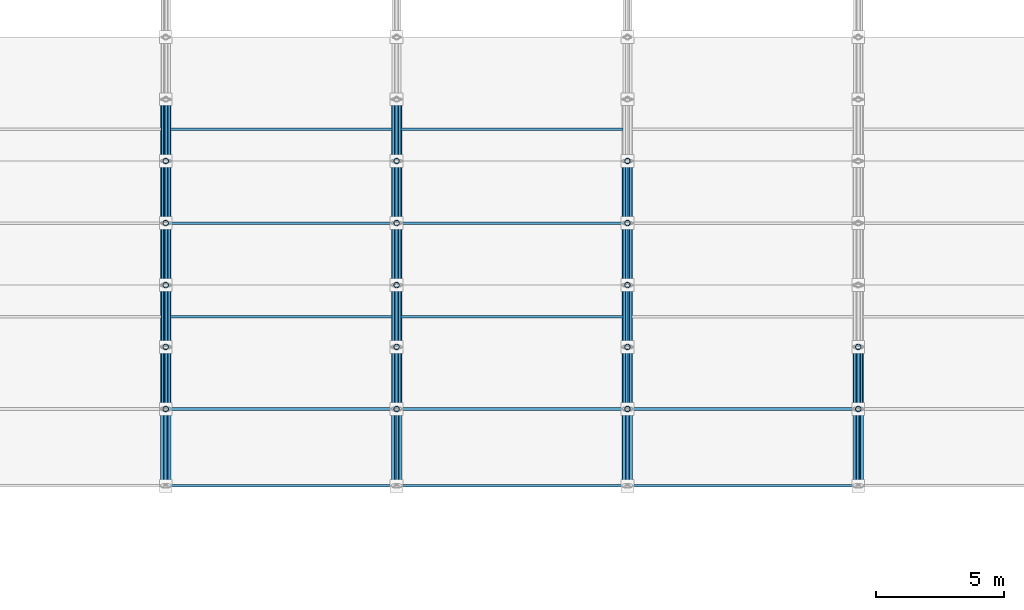
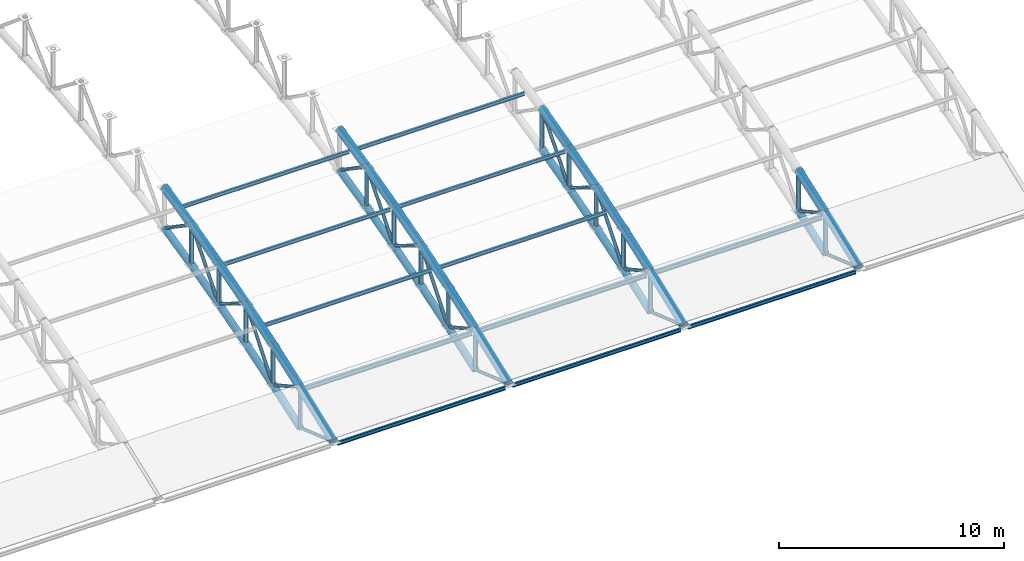
# One storey, part 18 of 195: 82 members.
"""IFC4 building model written with IfcOpenShell, lengths in metres."""

from ifc_helpers import new_model, si_unit, direction, frame, origin, origin_2d, place, context, subcontext, project, spatial, hollow_circle, i_section, extrude, material, material_profile, profile_set, type_object, element, save


model = new_model("IFC4")

# Units and contexts
model_context = context("Model", 3, precision=1e-05, world=origin(), true_north=direction((0.0, 1.0)))
body_context = subcontext(model_context, "Body", "Model", "MODEL_VIEW")
ifc_project = project(units=[si_unit("LENGTHUNIT", "METRE"), si_unit("AREAUNIT", "SQUARE_METRE"), si_unit("VOLUMEUNIT", "CUBIC_METRE"), si_unit("PLANEANGLEUNIT", "RADIAN"), si_unit("MASSUNIT", "GRAM", prefix="KILO")], contexts=[model_context])

# Site, building, storey
site_placement = place(None, origin())
site = spatial("IfcSite", under=ifc_project, at=site_placement, CompositionType="ELEMENT")
building_placement = place(site_placement, origin())
building = spatial("IfcBuilding", under=site, at=building_placement, Name="Marlcrest Central Station", CompositionType="ELEMENT")
storey_placement = place(building_placement, frame((0.0, 0.0, 9.800048828125)))
storey = spatial("IfcBuildingStorey", under=building, at=storey_placement, Name="L02", CompositionType="ELEMENT", Elevation=9.800048828125)

# Members
ifc_material = material(Name="Steel S355", Category="steel")
ifc_material_profile_1 = material_profile(ifc_material, hollow_circle(Radius=0.203125, WallThickness=0.02001953125, at=origin_2d()), Name="CHS 406.4x20")
ifc_profile_set_1 = profile_set([ifc_material_profile_1], Name="Steel S355")
member_type_1 = type_object("IfcMemberType", Name="AC-01", PredefinedType="CHORD", material=ifc_profile_set_1)
member_1_placement = place(storey_placement, frame((36.0, 33.5, 0.44580078125), z_axis=(0.0, 0.933324071143, 0.359035065453), x_axis=(-1.0, 0.0, 0.0)))
element("IfcMember", 1, at=member_1_placement, inside=storey, type_object=member_type_1, Name="mem-AC-01-L02-00525", PredefinedType="CHORD", context=body_context, shape_type="SweptSolid", body=[
    extrude(hollow_circle(Radius=0.203125, WallThickness=0.02001953125, at=origin_2d()), origin(), (0.0, 0.0, 1.0), 3.21435546875),
])
member_2_placement = place(storey_placement, frame((36.0, 36.5, 1.599853515625), z_axis=(0.0, 0.94353735649, 0.331266142109), x_axis=(-1.0, 0.0, 0.0)))
element("IfcMember", 2, at=member_2_placement, inside=storey, type_object=member_type_1, Name="mem-AC-01-L02-00527", PredefinedType="CHORD", context=body_context, shape_type="SweptSolid", body=[
    extrude(hollow_circle(Radius=0.203125, WallThickness=0.02001953125, at=origin_2d()), origin(), (0.0, 0.0, 1.0), 2.564697265625),
])
member_3_placement = place(storey_placement, frame((36.0, 38.919921875, 2.449462890625), z_axis=(0.0, 0.952116828449, 0.305734435391), x_axis=(-1.0, 0.0, 0.0)))
element("IfcMember", 3, at=member_3_placement, inside=storey, type_object=member_type_1, Name="mem-AC-01-L02-00531", PredefinedType="CHORD", context=body_context, shape_type="SweptSolid", body=[
    extrude(hollow_circle(Radius=0.203125, WallThickness=0.02001953125, at=origin_2d()), origin(), (0.0, 0.0, 1.0), 2.53125),
])
member_4_placement = place(storey_placement, frame((36.0, 41.330078125, 3.223388671875), z_axis=(0.0, 0.960130083362, 0.27955361386), x_axis=(-1.0, 0.0, 0.0)))
element("IfcMember", 4, at=member_4_placement, inside=storey, type_object=member_type_1, Name="mem-AC-01-L02-00535", PredefinedType="CHORD", context=body_context, shape_type="SweptSolid", body=[
    extrude(hollow_circle(Radius=0.203125, WallThickness=0.02001953125, at=origin_2d()), origin(), (0.0, 0.0, 1.0), 2.5205078125),
])
member_5_placement = place(storey_placement, frame((36.0, 43.75, 3.927978515625), z_axis=(0.0, 0.967539481681, 0.252719906989), x_axis=(-1.0, 0.0, 0.0)))
element("IfcMember", 5, at=member_5_placement, inside=storey, type_object=member_type_1, Name="mem-AC-01-L02-00539", PredefinedType="CHORD", context=body_context, shape_type="SweptSolid", body=[
    extrude(hollow_circle(Radius=0.203125, WallThickness=0.02001953125, at=origin_2d()), origin(), (0.0, 0.0, 1.0), 2.501220703125),
])
member_6_placement = place(storey_placement, frame((36.0, 46.169921875, 4.56005859375), z_axis=(0.0, 0.974329612642, 0.225126200004), x_axis=(-1.0, 0.0, 0.0)))
element("IfcMember", 6, at=member_6_placement, inside=storey, type_object=member_type_1, Name="mem-AC-01-L02-00543", PredefinedType="CHORD", context=body_context, shape_type="SweptSolid", body=[
    extrude(hollow_circle(Radius=0.203125, WallThickness=0.02001953125, at=origin_2d()), origin(), (0.0, 0.0, 1.0), 2.4736328125),
])
member_7_placement = place(storey_placement, frame((45.0, 33.5, 0.44580078125), z_axis=(0.0, 0.933324071143, 0.359035065453), x_axis=(-1.0, 0.0, 0.0)))
element("IfcMember", 7, at=member_7_placement, inside=storey, type_object=member_type_1, Name="mem-AC-01-L02-00641", PredefinedType="CHORD", context=body_context, shape_type="SweptSolid", body=[
    extrude(hollow_circle(Radius=0.203125, WallThickness=0.02001953125, at=origin_2d()), origin(), (0.0, 0.0, 1.0), 3.21435546875),
])
member_8_placement = place(storey_placement, frame((45.0, 36.5, 1.599853515625), z_axis=(0.0, 0.94353735649, 0.331266142109), x_axis=(-1.0, 0.0, 0.0)))
element("IfcMember", 8, at=member_8_placement, inside=storey, type_object=member_type_1, Name="mem-AC-01-L02-00643", PredefinedType="CHORD", context=body_context, shape_type="SweptSolid", body=[
    extrude(hollow_circle(Radius=0.203125, WallThickness=0.02001953125, at=origin_2d()), origin(), (0.0, 0.0, 1.0), 2.564697265625),
])
member_9_placement = place(storey_placement, frame((45.0, 38.919921875, 2.449462890625), z_axis=(0.0, 0.952116828449, 0.305734435391), x_axis=(-1.0, 0.0, 0.0)))
element("IfcMember", 9, at=member_9_placement, inside=storey, type_object=member_type_1, Name="mem-AC-01-L02-00647", PredefinedType="CHORD", context=body_context, shape_type="SweptSolid", body=[
    extrude(hollow_circle(Radius=0.203125, WallThickness=0.02001953125, at=origin_2d()), origin(), (0.0, 0.0, 1.0), 2.53125),
])
member_10_placement = place(storey_placement, frame((45.0, 41.330078125, 3.223388671875), z_axis=(0.0, 0.960130083362, 0.27955361386), x_axis=(-1.0, 0.0, 0.0)))
element("IfcMember", 10, at=member_10_placement, inside=storey, type_object=member_type_1, Name="mem-AC-01-L02-00651", PredefinedType="CHORD", context=body_context, shape_type="SweptSolid", body=[
    extrude(hollow_circle(Radius=0.203125, WallThickness=0.02001953125, at=origin_2d()), origin(), (0.0, 0.0, 1.0), 2.5205078125),
])
member_11_placement = place(storey_placement, frame((45.0, 43.75, 3.927978515625), z_axis=(0.0, 0.967539481681, 0.252719906989), x_axis=(-1.0, 0.0, 0.0)))
element("IfcMember", 11, at=member_11_placement, inside=storey, type_object=member_type_1, Name="mem-AC-01-L02-00655", PredefinedType="CHORD", context=body_context, shape_type="SweptSolid", body=[
    extrude(hollow_circle(Radius=0.203125, WallThickness=0.02001953125, at=origin_2d()), origin(), (0.0, 0.0, 1.0), 2.501220703125),
])
member_12_placement = place(storey_placement, frame((45.0, 46.169921875, 4.56005859375), z_axis=(0.0, 0.974329612642, 0.225126200004), x_axis=(-1.0, 0.0, 0.0)))
element("IfcMember", 12, at=member_12_placement, inside=storey, type_object=member_type_1, Name="mem-AC-01-L02-00659", PredefinedType="CHORD", context=body_context, shape_type="SweptSolid", body=[
    extrude(hollow_circle(Radius=0.203125, WallThickness=0.02001953125, at=origin_2d()), origin(), (0.0, 0.0, 1.0), 2.4736328125),
])
member_13_placement = place(storey_placement, frame((54.0, 33.5, 0.44580078125), z_axis=(0.0, 0.933324071143, 0.359035065453), x_axis=(-1.0, 0.0, 0.0)))
element("IfcMember", 13, at=member_13_placement, inside=storey, type_object=member_type_1, Name="mem-AC-01-L02-00757", PredefinedType="CHORD", context=body_context, shape_type="SweptSolid", body=[
    extrude(hollow_circle(Radius=0.203125, WallThickness=0.02001953125, at=origin_2d()), origin(), (0.0, 0.0, 1.0), 3.21435546875),
])
member_14_placement = place(storey_placement, frame((54.0, 36.5, 1.599853515625), z_axis=(0.0, 0.94353735649, 0.331266142109), x_axis=(-1.0, 0.0, 0.0)))
element("IfcMember", 14, at=member_14_placement, inside=storey, type_object=member_type_1, Name="mem-AC-01-L02-00759", PredefinedType="CHORD", context=body_context, shape_type="SweptSolid", body=[
    extrude(hollow_circle(Radius=0.203125, WallThickness=0.02001953125, at=origin_2d()), origin(), (0.0, 0.0, 1.0), 2.564697265625),
])
member_15_placement = place(storey_placement, frame((54.0, 38.919921875, 2.449462890625), z_axis=(0.0, 0.952116828449, 0.305734435391), x_axis=(-1.0, 0.0, 0.0)))
element("IfcMember", 15, at=member_15_placement, inside=storey, type_object=member_type_1, Name="mem-AC-01-L02-00763", PredefinedType="CHORD", context=body_context, shape_type="SweptSolid", body=[
    extrude(hollow_circle(Radius=0.203125, WallThickness=0.02001953125, at=origin_2d()), origin(), (0.0, 0.0, 1.0), 2.53125),
])
member_16_placement = place(storey_placement, frame((54.0, 41.330078125, 3.223388671875), z_axis=(0.0, 0.960130083362, 0.27955361386), x_axis=(-1.0, 0.0, 0.0)))
element("IfcMember", 16, at=member_16_placement, inside=storey, type_object=member_type_1, Name="mem-AC-01-L02-00767", PredefinedType="CHORD", context=body_context, shape_type="SweptSolid", body=[
    extrude(hollow_circle(Radius=0.203125, WallThickness=0.02001953125, at=origin_2d()), origin(), (0.0, 0.0, 1.0), 2.5205078125),
])
member_17_placement = place(storey_placement, frame((54.0, 43.75, 3.927978515625), z_axis=(0.0, 0.967539481681, 0.252719906989), x_axis=(-1.0, 0.0, 0.0)))
element("IfcMember", 17, at=member_17_placement, inside=storey, type_object=member_type_1, Name="mem-AC-01-L02-00771", PredefinedType="CHORD", context=body_context, shape_type="SweptSolid", body=[
    extrude(hollow_circle(Radius=0.203125, WallThickness=0.02001953125, at=origin_2d()), origin(), (0.0, 0.0, 1.0), 2.501220703125),
])
member_18_placement = place(storey_placement, frame((63.0, 33.5, 0.44580078125), z_axis=(0.0, 0.933324071143, 0.359035065453), x_axis=(-1.0, 0.0, 0.0)))
element("IfcMember", 18, at=member_18_placement, inside=storey, type_object=member_type_1, Name="mem-AC-01-L02-00873", PredefinedType="CHORD", context=body_context, shape_type="SweptSolid", body=[
    extrude(hollow_circle(Radius=0.203125, WallThickness=0.02001953125, at=origin_2d()), origin(), (0.0, 0.0, 1.0), 3.21435546875),
])
member_19_placement = place(storey_placement, frame((63.0, 36.5, 1.599853515625), z_axis=(0.0, 0.94353735649, 0.331266142109), x_axis=(-1.0, 0.0, 0.0)))
element("IfcMember", 19, at=member_19_placement, inside=storey, type_object=member_type_1, Name="mem-AC-01-L02-00875", PredefinedType="CHORD", context=body_context, shape_type="SweptSolid", body=[
    extrude(hollow_circle(Radius=0.203125, WallThickness=0.02001953125, at=origin_2d()), origin(), (0.0, 0.0, 1.0), 2.564697265625),
])
ifc_material_profile_2 = material_profile(ifc_material, hollow_circle(Radius=0.177734375, WallThickness=0.01611328125, at=origin_2d()), Name="CHS 355.6x16")
ifc_profile_set_2 = profile_set([ifc_material_profile_2], Name="Steel S355")
member_type_2 = type_object("IfcMemberType", Name="AC-02", PredefinedType="CHORD", material=ifc_profile_set_2)
member_20_placement = place(storey_placement, frame((36.0, 36.5, -0.60009765625), z_axis=(0.0, 0.94353735649, 0.331266142109), x_axis=(-1.0, 0.0, 0.0)))
element("IfcMember", 20, at=member_20_placement, inside=storey, type_object=member_type_2, Name="mem-AC-02-L02-00528", PredefinedType="CHORD", context=body_context, shape_type="SweptSolid", body=[
    extrude(hollow_circle(Radius=0.177734375, WallThickness=0.01611328125, at=origin_2d()), origin(), (0.0, 0.0, 1.0), 2.564697265625),
])
member_21_placement = place(storey_placement, frame((36.0, 38.919921875, 0.24951171875), z_axis=(0.0, 0.952116828449, 0.305734435391), x_axis=(-1.0, 0.0, 0.0)))
element("IfcMember", 21, at=member_21_placement, inside=storey, type_object=member_type_2, Name="mem-AC-02-L02-00532", PredefinedType="CHORD", context=body_context, shape_type="SweptSolid", body=[
    extrude(hollow_circle(Radius=0.177734375, WallThickness=0.01611328125, at=origin_2d()), origin(), (0.0, 0.0, 1.0), 2.53125),
])
member_22_placement = place(storey_placement, frame((36.0, 41.330078125, 1.0234375), z_axis=(0.0, 0.960130083362, 0.27955361386), x_axis=(-1.0, 0.0, 0.0)))
element("IfcMember", 22, at=member_22_placement, inside=storey, type_object=member_type_2, Name="mem-AC-02-L02-00536", PredefinedType="CHORD", context=body_context, shape_type="SweptSolid", body=[
    extrude(hollow_circle(Radius=0.177734375, WallThickness=0.01611328125, at=origin_2d()), origin(), (0.0, 0.0, 1.0), 2.5205078125),
])
member_23_placement = place(storey_placement, frame((36.0, 43.75, 1.72802734375), z_axis=(0.0, 0.967563345928, 0.252628524946), x_axis=(-1.0, 0.0, 0.0)))
element("IfcMember", 23, at=member_23_placement, inside=storey, type_object=member_type_2, Name="mem-AC-02-L02-00540", PredefinedType="CHORD", context=body_context, shape_type="SweptSolid", body=[
    extrude(hollow_circle(Radius=0.177734375, WallThickness=0.01611328125, at=origin_2d()), origin(), (0.0, 0.0, 1.0), 2.5009765625),
])
member_24_placement = place(storey_placement, frame((36.0, 46.169921875, 2.35986328125), z_axis=(0.0, 0.974307959875, 0.225219891049), x_axis=(-1.0, 0.0, 0.0)))
element("IfcMember", 24, at=member_24_placement, inside=storey, type_object=member_type_2, Name="mem-AC-02-L02-00544", PredefinedType="CHORD", context=body_context, shape_type="SweptSolid", body=[
    extrude(hollow_circle(Radius=0.177734375, WallThickness=0.01611328125, at=origin_2d()), origin(), (0.0, 0.0, 1.0), 2.4736328125),
])
member_25_placement = place(storey_placement, frame((45.0, 36.5, -0.60009765625), z_axis=(0.0, 0.94353735649, 0.331266142109), x_axis=(-1.0, 0.0, 0.0)))
element("IfcMember", 25, at=member_25_placement, inside=storey, type_object=member_type_2, Name="mem-AC-02-L02-00644", PredefinedType="CHORD", context=body_context, shape_type="SweptSolid", body=[
    extrude(hollow_circle(Radius=0.177734375, WallThickness=0.01611328125, at=origin_2d()), origin(), (0.0, 0.0, 1.0), 2.564697265625),
])
member_26_placement = place(storey_placement, frame((45.0, 38.919921875, 0.24951171875), z_axis=(0.0, 0.952116828449, 0.305734435391), x_axis=(-1.0, 0.0, 0.0)))
element("IfcMember", 26, at=member_26_placement, inside=storey, type_object=member_type_2, Name="mem-AC-02-L02-00648", PredefinedType="CHORD", context=body_context, shape_type="SweptSolid", body=[
    extrude(hollow_circle(Radius=0.177734375, WallThickness=0.01611328125, at=origin_2d()), origin(), (0.0, 0.0, 1.0), 2.53125),
])
member_27_placement = place(storey_placement, frame((45.0, 41.330078125, 1.0234375), z_axis=(0.0, 0.960130083362, 0.27955361386), x_axis=(-1.0, 0.0, 0.0)))
element("IfcMember", 27, at=member_27_placement, inside=storey, type_object=member_type_2, Name="mem-AC-02-L02-00652", PredefinedType="CHORD", context=body_context, shape_type="SweptSolid", body=[
    extrude(hollow_circle(Radius=0.177734375, WallThickness=0.01611328125, at=origin_2d()), origin(), (0.0, 0.0, 1.0), 2.5205078125),
])
member_28_placement = place(storey_placement, frame((45.0, 43.75, 1.72802734375), z_axis=(0.0, 0.967563345928, 0.252628524946), x_axis=(-1.0, 0.0, 0.0)))
element("IfcMember", 28, at=member_28_placement, inside=storey, type_object=member_type_2, Name="mem-AC-02-L02-00656", PredefinedType="CHORD", context=body_context, shape_type="SweptSolid", body=[
    extrude(hollow_circle(Radius=0.177734375, WallThickness=0.01611328125, at=origin_2d()), origin(), (0.0, 0.0, 1.0), 2.5009765625),
])
member_29_placement = place(storey_placement, frame((45.0, 46.169921875, 2.35986328125), z_axis=(0.0, 0.974307959875, 0.225219891049), x_axis=(-1.0, 0.0, 0.0)))
element("IfcMember", 29, at=member_29_placement, inside=storey, type_object=member_type_2, Name="mem-AC-02-L02-00660", PredefinedType="CHORD", context=body_context, shape_type="SweptSolid", body=[
    extrude(hollow_circle(Radius=0.177734375, WallThickness=0.01611328125, at=origin_2d()), origin(), (0.0, 0.0, 1.0), 2.4736328125),
])
member_30_placement = place(storey_placement, frame((54.0, 36.5, -0.60009765625), z_axis=(0.0, 0.94353735649, 0.331266142109), x_axis=(-1.0, 0.0, 0.0)))
element("IfcMember", 30, at=member_30_placement, inside=storey, type_object=member_type_2, Name="mem-AC-02-L02-00760", PredefinedType="CHORD", context=body_context, shape_type="SweptSolid", body=[
    extrude(hollow_circle(Radius=0.177734375, WallThickness=0.01611328125, at=origin_2d()), origin(), (0.0, 0.0, 1.0), 2.564697265625),
])
member_31_placement = place(storey_placement, frame((54.0, 38.919921875, 0.24951171875), z_axis=(0.0, 0.952116828449, 0.305734435391), x_axis=(-1.0, 0.0, 0.0)))
element("IfcMember", 31, at=member_31_placement, inside=storey, type_object=member_type_2, Name="mem-AC-02-L02-00764", PredefinedType="CHORD", context=body_context, shape_type="SweptSolid", body=[
    extrude(hollow_circle(Radius=0.177734375, WallThickness=0.01611328125, at=origin_2d()), origin(), (0.0, 0.0, 1.0), 2.53125),
])
member_32_placement = place(storey_placement, frame((54.0, 41.330078125, 1.0234375), z_axis=(0.0, 0.960130083362, 0.27955361386), x_axis=(-1.0, 0.0, 0.0)))
element("IfcMember", 32, at=member_32_placement, inside=storey, type_object=member_type_2, Name="mem-AC-02-L02-00768", PredefinedType="CHORD", context=body_context, shape_type="SweptSolid", body=[
    extrude(hollow_circle(Radius=0.177734375, WallThickness=0.01611328125, at=origin_2d()), origin(), (0.0, 0.0, 1.0), 2.5205078125),
])
member_33_placement = place(storey_placement, frame((54.0, 43.75, 1.72802734375), z_axis=(0.0, 0.967563345928, 0.252628524946), x_axis=(-1.0, 0.0, 0.0)))
element("IfcMember", 33, at=member_33_placement, inside=storey, type_object=member_type_2, Name="mem-AC-02-L02-00772", PredefinedType="CHORD", context=body_context, shape_type="SweptSolid", body=[
    extrude(hollow_circle(Radius=0.177734375, WallThickness=0.01611328125, at=origin_2d()), origin(), (0.0, 0.0, 1.0), 2.5009765625),
])
member_34_placement = place(storey_placement, frame((63.0, 36.5, -0.60009765625), z_axis=(0.0, 0.94353735649, 0.331266142109), x_axis=(-1.0, 0.0, 0.0)))
element("IfcMember", 34, at=member_34_placement, inside=storey, type_object=member_type_2, Name="mem-AC-02-L02-00876", PredefinedType="CHORD", context=body_context, shape_type="SweptSolid", body=[
    extrude(hollow_circle(Radius=0.177734375, WallThickness=0.01611328125, at=origin_2d()), origin(), (0.0, 0.0, 1.0), 2.564697265625),
])
ifc_material_profile_3 = material_profile(ifc_material, hollow_circle(Radius=0.084228515625, WallThickness=0.010009765625, at=origin_2d()), Name="CHS 168.3x10")
ifc_profile_set_3 = profile_set([ifc_material_profile_3], Name="Steel S355")
member_type_3 = type_object("IfcMemberType", Name="AD-01", PredefinedType="BRACE", material=ifc_profile_set_3)
member_35_placement = place(storey_placement, frame((36.0, 36.5, -0.60009765625), z_axis=(0.0, -0.944260188635, 0.329200085296), x_axis=(1.0, 0.0, 0.0)))
element("IfcMember", 35, at=member_35_placement, inside=storey, type_object=member_type_3, Name="mem-AD-01-L02-00526", PredefinedType="BRACE", context=body_context, shape_type="SweptSolid", body=[
    extrude(hollow_circle(Radius=0.084228515625, WallThickness=0.010009765625, at=origin_2d()), origin(), (0.0, 0.0, 1.0), 3.177001953125),
])
member_36_placement = place(storey_placement, frame((36.0, 36.5, 1.599853515625), z_axis=(0.0, 0.873245653167, -0.487280236851), x_axis=(-1.0, 0.0, 0.0)))
element("IfcMember", 36, at=member_36_placement, inside=storey, type_object=member_type_3, Name="mem-AD-01-L02-00530", PredefinedType="BRACE", context=body_context, shape_type="SweptSolid", body=[
    extrude(hollow_circle(Radius=0.084228515625, WallThickness=0.010009765625, at=origin_2d()), origin(), (0.0, 0.0, 1.0), 2.771240234375),
])
member_37_placement = place(storey_placement, frame((36.0, 38.919921875, 0.24951171875), z_axis=(0.0, 0.62962929743, 0.776895712318), x_axis=(-1.0, 0.0, 0.0)))
element("IfcMember", 37, at=member_37_placement, inside=storey, type_object=member_type_3, Name="mem-AD-01-L02-00534", PredefinedType="BRACE", context=body_context, shape_type="SweptSolid", body=[
    extrude(hollow_circle(Radius=0.084228515625, WallThickness=0.010009765625, at=origin_2d()), origin(), (0.0, 0.0, 1.0), 3.827880859375),
])
member_38_placement = place(storey_placement, frame((36.0, 41.330078125, 3.223388671875), z_axis=(0.0, 0.850687380038, -0.525671933286), x_axis=(-1.0, 0.0, 0.0)))
element("IfcMember", 38, at=member_38_placement, inside=storey, type_object=member_type_3, Name="mem-AD-01-L02-00538", PredefinedType="BRACE", context=body_context, shape_type="SweptSolid", body=[
    extrude(hollow_circle(Radius=0.084228515625, WallThickness=0.010009765625, at=origin_2d()), origin(), (0.0, 0.0, 1.0), 2.8447265625),
])
member_39_placement = place(storey_placement, frame((36.0, 43.75, 1.72802734375), z_axis=(0.0, 0.649624779144, 0.760254987699), x_axis=(-1.0, 0.0, 0.0)))
element("IfcMember", 39, at=member_39_placement, inside=storey, type_object=member_type_3, Name="mem-AD-01-L02-00542", PredefinedType="BRACE", context=body_context, shape_type="SweptSolid", body=[
    extrude(hollow_circle(Radius=0.084228515625, WallThickness=0.010009765625, at=origin_2d()), origin(), (0.0, 0.0, 1.0), 3.72509765625),
])
member_40_placement = place(storey_placement, frame((36.0, 46.169921875, 4.56005859375), z_axis=(0.0, 0.82626275624, -0.563284881432), x_axis=(-1.0, 0.0, 0.0)))
element("IfcMember", 40, at=member_40_placement, inside=storey, type_object=member_type_3, Name="mem-AD-01-L02-00546", PredefinedType="BRACE", context=body_context, shape_type="SweptSolid", body=[
    extrude(hollow_circle(Radius=0.084228515625, WallThickness=0.010009765625, at=origin_2d()), origin(), (0.0, 0.0, 1.0), 2.9169921875),
])
member_41_placement = place(storey_placement, frame((45.0, 36.5, -0.60009765625), z_axis=(0.0, -0.944260188635, 0.329200085296), x_axis=(1.0, 0.0, 0.0)))
element("IfcMember", 41, at=member_41_placement, inside=storey, type_object=member_type_3, Name="mem-AD-01-L02-00642", PredefinedType="BRACE", context=body_context, shape_type="SweptSolid", body=[
    extrude(hollow_circle(Radius=0.084228515625, WallThickness=0.010009765625, at=origin_2d()), origin(), (0.0, 0.0, 1.0), 3.177001953125),
])
member_42_placement = place(storey_placement, frame((45.0, 36.5, 1.599853515625), z_axis=(0.0, 0.873245653167, -0.487280236851), x_axis=(-1.0, 0.0, 0.0)))
element("IfcMember", 42, at=member_42_placement, inside=storey, type_object=member_type_3, Name="mem-AD-01-L02-00646", PredefinedType="BRACE", context=body_context, shape_type="SweptSolid", body=[
    extrude(hollow_circle(Radius=0.084228515625, WallThickness=0.010009765625, at=origin_2d()), origin(), (0.0, 0.0, 1.0), 2.771240234375),
])
member_43_placement = place(storey_placement, frame((45.0, 38.919921875, 0.24951171875), z_axis=(0.0, 0.62962929743, 0.776895712318), x_axis=(-1.0, 0.0, 0.0)))
element("IfcMember", 43, at=member_43_placement, inside=storey, type_object=member_type_3, Name="mem-AD-01-L02-00650", PredefinedType="BRACE", context=body_context, shape_type="SweptSolid", body=[
    extrude(hollow_circle(Radius=0.084228515625, WallThickness=0.010009765625, at=origin_2d()), origin(), (0.0, 0.0, 1.0), 3.827880859375),
])
member_44_placement = place(storey_placement, frame((45.0, 41.330078125, 3.223388671875), z_axis=(0.0, 0.850687380038, -0.525671933286), x_axis=(-1.0, 0.0, 0.0)))
element("IfcMember", 44, at=member_44_placement, inside=storey, type_object=member_type_3, Name="mem-AD-01-L02-00654", PredefinedType="BRACE", context=body_context, shape_type="SweptSolid", body=[
    extrude(hollow_circle(Radius=0.084228515625, WallThickness=0.010009765625, at=origin_2d()), origin(), (0.0, 0.0, 1.0), 2.8447265625),
])
member_45_placement = place(storey_placement, frame((45.0, 43.75, 1.72802734375), z_axis=(0.0, 0.649624779144, 0.760254987699), x_axis=(-1.0, 0.0, 0.0)))
element("IfcMember", 45, at=member_45_placement, inside=storey, type_object=member_type_3, Name="mem-AD-01-L02-00658", PredefinedType="BRACE", context=body_context, shape_type="SweptSolid", body=[
    extrude(hollow_circle(Radius=0.084228515625, WallThickness=0.010009765625, at=origin_2d()), origin(), (0.0, 0.0, 1.0), 3.72509765625),
])
member_46_placement = place(storey_placement, frame((45.0, 46.169921875, 4.56005859375), z_axis=(0.0, 0.82626275624, -0.563284881432), x_axis=(-1.0, 0.0, 0.0)))
element("IfcMember", 46, at=member_46_placement, inside=storey, type_object=member_type_3, Name="mem-AD-01-L02-00662", PredefinedType="BRACE", context=body_context, shape_type="SweptSolid", body=[
    extrude(hollow_circle(Radius=0.084228515625, WallThickness=0.010009765625, at=origin_2d()), origin(), (0.0, 0.0, 1.0), 2.9169921875),
])
member_47_placement = place(storey_placement, frame((54.0, 36.5, -0.60009765625), z_axis=(0.0, -0.944260188635, 0.329200085296), x_axis=(1.0, 0.0, 0.0)))
element("IfcMember", 47, at=member_47_placement, inside=storey, type_object=member_type_3, Name="mem-AD-01-L02-00758", PredefinedType="BRACE", context=body_context, shape_type="SweptSolid", body=[
    extrude(hollow_circle(Radius=0.084228515625, WallThickness=0.010009765625, at=origin_2d()), origin(), (0.0, 0.0, 1.0), 3.177001953125),
])
member_48_placement = place(storey_placement, frame((54.0, 36.5, 1.599853515625), z_axis=(0.0, 0.873245653167, -0.487280236851), x_axis=(-1.0, 0.0, 0.0)))
element("IfcMember", 48, at=member_48_placement, inside=storey, type_object=member_type_3, Name="mem-AD-01-L02-00762", PredefinedType="BRACE", context=body_context, shape_type="SweptSolid", body=[
    extrude(hollow_circle(Radius=0.084228515625, WallThickness=0.010009765625, at=origin_2d()), origin(), (0.0, 0.0, 1.0), 2.771240234375),
])
member_49_placement = place(storey_placement, frame((54.0, 38.919921875, 0.24951171875), z_axis=(0.0, 0.62962929743, 0.776895712318), x_axis=(-1.0, 0.0, 0.0)))
element("IfcMember", 49, at=member_49_placement, inside=storey, type_object=member_type_3, Name="mem-AD-01-L02-00766", PredefinedType="BRACE", context=body_context, shape_type="SweptSolid", body=[
    extrude(hollow_circle(Radius=0.084228515625, WallThickness=0.010009765625, at=origin_2d()), origin(), (0.0, 0.0, 1.0), 3.827880859375),
])
member_50_placement = place(storey_placement, frame((54.0, 41.330078125, 3.223388671875), z_axis=(0.0, 0.850687380038, -0.525671933286), x_axis=(-1.0, 0.0, 0.0)))
element("IfcMember", 50, at=member_50_placement, inside=storey, type_object=member_type_3, Name="mem-AD-01-L02-00770", PredefinedType="BRACE", context=body_context, shape_type="SweptSolid", body=[
    extrude(hollow_circle(Radius=0.084228515625, WallThickness=0.010009765625, at=origin_2d()), origin(), (0.0, 0.0, 1.0), 2.8447265625),
])
member_51_placement = place(storey_placement, frame((54.0, 43.75, 1.72802734375), z_axis=(0.0, 0.649624779144, 0.760254987699), x_axis=(-1.0, 0.0, 0.0)))
element("IfcMember", 51, at=member_51_placement, inside=storey, type_object=member_type_3, Name="mem-AD-01-L02-00774", PredefinedType="BRACE", context=body_context, shape_type="SweptSolid", body=[
    extrude(hollow_circle(Radius=0.084228515625, WallThickness=0.010009765625, at=origin_2d()), origin(), (0.0, 0.0, 1.0), 3.72509765625),
])
member_52_placement = place(storey_placement, frame((63.0, 36.5, -0.60009765625), z_axis=(0.0, -0.944260188635, 0.329200085296), x_axis=(1.0, 0.0, 0.0)))
element("IfcMember", 52, at=member_52_placement, inside=storey, type_object=member_type_3, Name="mem-AD-01-L02-00874", PredefinedType="BRACE", context=body_context, shape_type="SweptSolid", body=[
    extrude(hollow_circle(Radius=0.084228515625, WallThickness=0.010009765625, at=origin_2d()), origin(), (0.0, 0.0, 1.0), 3.177001953125),
])
member_53_placement = place(storey_placement, frame((63.0, 36.5, 1.599853515625), z_axis=(0.0, 0.873245653167, -0.487280236851), x_axis=(-1.0, 0.0, 0.0)))
element("IfcMember", 53, at=member_53_placement, inside=storey, type_object=member_type_3, Name="mem-AD-01-L02-00878", PredefinedType="BRACE", context=body_context, shape_type="SweptSolid", body=[
    extrude(hollow_circle(Radius=0.084228515625, WallThickness=0.010009765625, at=origin_2d()), origin(), (0.0, 0.0, 1.0), 2.771240234375),
])
ifc_material_profile_4 = material_profile(ifc_material, hollow_circle(Radius=0.109619140625, WallThickness=0.012451171875, at=origin_2d()), Name="CHS 219.1x12.5")
ifc_profile_set_4 = profile_set([ifc_material_profile_4], Name="Steel S355")
member_type_4 = type_object("IfcMemberType", Name="AP-01", PredefinedType="POST", material=ifc_profile_set_4)
for number, where, z_axis, x_axis, name in (
    (54, (36.0, 36.5, -0.60009765625), (0.0, 0.0, 1.0), (1.0, 0.0, 0.0), "mem-AP-01-L02-00529"),
    (55, (36.0, 38.919921875, 0.24951171875), (0.0, 0.0, 1.0), (1.0, 0.0, 0.0), "mem-AP-01-L02-00533"),
    (56, (36.0, 41.330078125, 1.0234375), (0.0, 0.0, 1.0), (1.0, 0.0, 0.0), "mem-AP-01-L02-00537"),
    (57, (36.0, 43.75, 1.72802734375), (0.0, 0.0, 1.0), (1.0, 0.0, 0.0), "mem-AP-01-L02-00541"),
):
    element("IfcMember", number, at=place(storey_placement, frame(where, z_axis=z_axis, x_axis=x_axis)), inside=storey, type_object=member_type_4, Name=name, PredefinedType="POST", context=body_context, shape_type="SweptSolid", body=[
        extrude(hollow_circle(Radius=0.109619140625, WallThickness=0.012451171875, at=origin_2d()), origin(), (0.0, 0.0, 1.0), 2.199951171875),
    ])
member_54_placement = place(storey_placement, frame((36.0, 46.169921875, 2.35986328125), z_axis=(0.0, 0.0, 1.0), x_axis=(1.0, 0.0, 0.0)))
element("IfcMember", 58, at=member_54_placement, inside=storey, type_object=member_type_4, Name="mem-AP-01-L02-00545", PredefinedType="POST", context=body_context, shape_type="SweptSolid", body=[
    extrude(hollow_circle(Radius=0.109619140625, WallThickness=0.012451171875, at=origin_2d()), origin(), (0.0, 0.0, 1.0), 2.2001953125),
])
for number, where, z_axis, x_axis, name in (
    (59, (45.0, 36.5, -0.60009765625), (0.0, 0.0, 1.0), (1.0, 0.0, 0.0), "mem-AP-01-L02-00645"),
    (60, (45.0, 38.919921875, 0.24951171875), (0.0, 0.0, 1.0), (1.0, 0.0, 0.0), "mem-AP-01-L02-00649"),
    (61, (45.0, 41.330078125, 1.0234375), (0.0, 0.0, 1.0), (1.0, 0.0, 0.0), "mem-AP-01-L02-00653"),
    (62, (45.0, 43.75, 1.72802734375), (0.0, 0.0, 1.0), (1.0, 0.0, 0.0), "mem-AP-01-L02-00657"),
):
    element("IfcMember", number, at=place(storey_placement, frame(where, z_axis=z_axis, x_axis=x_axis)), inside=storey, type_object=member_type_4, Name=name, PredefinedType="POST", context=body_context, shape_type="SweptSolid", body=[
        extrude(hollow_circle(Radius=0.109619140625, WallThickness=0.012451171875, at=origin_2d()), origin(), (0.0, 0.0, 1.0), 2.199951171875),
    ])
member_55_placement = place(storey_placement, frame((45.0, 46.169921875, 2.35986328125), z_axis=(0.0, 0.0, 1.0), x_axis=(1.0, 0.0, 0.0)))
element("IfcMember", 63, at=member_55_placement, inside=storey, type_object=member_type_4, Name="mem-AP-01-L02-00661", PredefinedType="POST", context=body_context, shape_type="SweptSolid", body=[
    extrude(hollow_circle(Radius=0.109619140625, WallThickness=0.012451171875, at=origin_2d()), origin(), (0.0, 0.0, 1.0), 2.2001953125),
])
for number, where, z_axis, x_axis, name in (
    (64, (54.0, 36.5, -0.60009765625), (0.0, 0.0, 1.0), (1.0, 0.0, 0.0), "mem-AP-01-L02-00761"),
    (65, (54.0, 38.919921875, 0.24951171875), (0.0, 0.0, 1.0), (1.0, 0.0, 0.0), "mem-AP-01-L02-00765"),
    (66, (54.0, 41.330078125, 1.0234375), (0.0, 0.0, 1.0), (1.0, 0.0, 0.0), "mem-AP-01-L02-00769"),
    (67, (54.0, 43.75, 1.72802734375), (0.0, 0.0, 1.0), (1.0, 0.0, 0.0), "mem-AP-01-L02-00773"),
):
    element("IfcMember", number, at=place(storey_placement, frame(where, z_axis=z_axis, x_axis=x_axis)), inside=storey, type_object=member_type_4, Name=name, PredefinedType="POST", context=body_context, shape_type="SweptSolid", body=[
        extrude(hollow_circle(Radius=0.109619140625, WallThickness=0.012451171875, at=origin_2d()), origin(), (0.0, 0.0, 1.0), 2.199951171875),
    ])
member_56_placement = place(storey_placement, frame((54.0, 46.169921875, 2.35986328125), z_axis=(0.0, 0.0, 1.0), x_axis=(1.0, 0.0, 0.0)))
element("IfcMember", 68, at=member_56_placement, inside=storey, type_object=member_type_4, Name="mem-AP-01-L02-00777", PredefinedType="POST", context=body_context, shape_type="SweptSolid", body=[
    extrude(hollow_circle(Radius=0.109619140625, WallThickness=0.012451171875, at=origin_2d()), origin(), (0.0, 0.0, 1.0), 2.2001953125),
])
for number, where, z_axis, x_axis, name in (
    (69, (63.0, 36.5, -0.60009765625), (0.0, 0.0, 1.0), (1.0, 0.0, 0.0), "mem-AP-01-L02-00877"),
    (70, (63.0, 38.919921875, 0.24951171875), (0.0, 0.0, 1.0), (1.0, 0.0, 0.0), "mem-AP-01-L02-00881"),
):
    element("IfcMember", number, at=place(storey_placement, frame(where, z_axis=z_axis, x_axis=x_axis)), inside=storey, type_object=member_type_4, Name=name, PredefinedType="POST", context=body_context, shape_type="SweptSolid", body=[
        extrude(hollow_circle(Radius=0.109619140625, WallThickness=0.012451171875, at=origin_2d()), origin(), (0.0, 0.0, 1.0), 2.199951171875),
    ])
ifc_material_profile_5 = material_profile(ifc_material, i_section(OverallWidth=0.10009765625, OverallDepth=0.199951171875, WebThickness=0.005615234375, FlangeThickness=0.008544921875, FilletRadius=0.011962890625, at=origin_2d()), Name="IPE 200")
ifc_profile_set_5 = profile_set([ifc_material_profile_5], Name="Steel S355")
member_type_5 = type_object("IfcMemberType", Name="PR-01", PredefinedType="PURLIN", material=ifc_profile_set_5)
for number, where, z_axis, x_axis, name in (
    (71, (36.179931640625, 33.5, 0.3056640625), (1.0, 0.0, 0.0), (0.0, 1.0, 0.0), "mem-PR-01-L02-00626"),
    (72, (36.179931640625, 40.10009765625, 2.697509765625), (1.0, 0.0, 0.0), (0.0, 1.0, 0.0), "mem-PR-01-L02-00628"),
    (73, (36.179931640625, 43.75, 3.7880859375), (1.0, 0.0, 0.0), (0.0, 1.0, 0.0), "mem-PR-01-L02-00629"),
    (74, (36.179931640625, 47.39990234375, 4.713134765625), (1.0, 0.0, 0.0), (0.0, 1.0, 0.0), "mem-PR-01-L02-00630"),
    (75, (45.179931640625, 33.5, 0.3056640625), (1.0, 0.0, 0.0), (0.0, 1.0, 0.0), "mem-PR-01-L02-00742"),
    (76, (45.179931640625, 40.10009765625, 2.697509765625), (1.0, 0.0, 0.0), (0.0, 1.0, 0.0), "mem-PR-01-L02-00744"),
    (77, (45.179931640625, 43.75, 3.7880859375), (1.0, 0.0, 0.0), (0.0, 1.0, 0.0), "mem-PR-01-L02-00745"),
    (78, (45.179931640625, 47.39990234375, 4.713134765625), (1.0, 0.0, 0.0), (0.0, 1.0, 0.0), "mem-PR-01-L02-00746"),
    (79, (54.179931640625, 33.5, 0.3056640625), (1.0, 0.0, 0.0), (0.0, 1.0, 0.0), "mem-PR-01-L02-00858"),
):
    element("IfcMember", number, at=place(storey_placement, frame(where, z_axis=z_axis, x_axis=x_axis)), inside=storey, type_object=member_type_5, Name=name, PredefinedType="PURLIN", context=body_context, shape_type="SweptSolid", body=[
        extrude(i_section(OverallWidth=0.10009765625, OverallDepth=0.199951171875, WebThickness=0.005615234375, FlangeThickness=0.008544921875, FilletRadius=0.011962890625, at=origin_2d()), origin(), (0.0, 0.0, 1.0), 8.64013671875),
    ])
ifc_material_profile_6 = material_profile(ifc_material, i_section(OverallWidth=0.1201171875, OverallDepth=0.239990234375, WebThickness=0.006103515625, FlangeThickness=0.009765625, FilletRadius=0.014892578125, at=origin_2d()), Name="IPE 240")
ifc_profile_set_6 = profile_set([ifc_material_profile_6], Name="Steel S355")
member_type_6 = type_object("IfcMemberType", Name="PR-02", PredefinedType="PURLIN", material=ifc_profile_set_6)
for number, where, z_axis, x_axis, name in (
    (80, (36.179931640625, 36.5, 1.4599609375), (1.0, 0.0, 0.0), (0.0, 1.0, 0.0), "mem-PR-02-L02-00627"),
    (81, (45.179931640625, 36.5, 1.4599609375), (1.0, 0.0, 0.0), (0.0, 1.0, 0.0), "mem-PR-02-L02-00743"),
    (82, (54.179931640625, 36.5, 1.4599609375), (1.0, 0.0, 0.0), (0.0, 1.0, 0.0), "mem-PR-02-L02-00859"),
):
    element("IfcMember", number, at=place(storey_placement, frame(where, z_axis=z_axis, x_axis=x_axis)), inside=storey, type_object=member_type_6, Name=name, PredefinedType="PURLIN", context=body_context, shape_type="SweptSolid", body=[
        extrude(i_section(OverallWidth=0.1201171875, OverallDepth=0.239990234375, WebThickness=0.006103515625, FlangeThickness=0.009765625, FilletRadius=0.014892578125, at=origin_2d()), origin(), (0.0, 0.0, 1.0), 8.64013671875),
    ])

save(model, "model.ifc")
